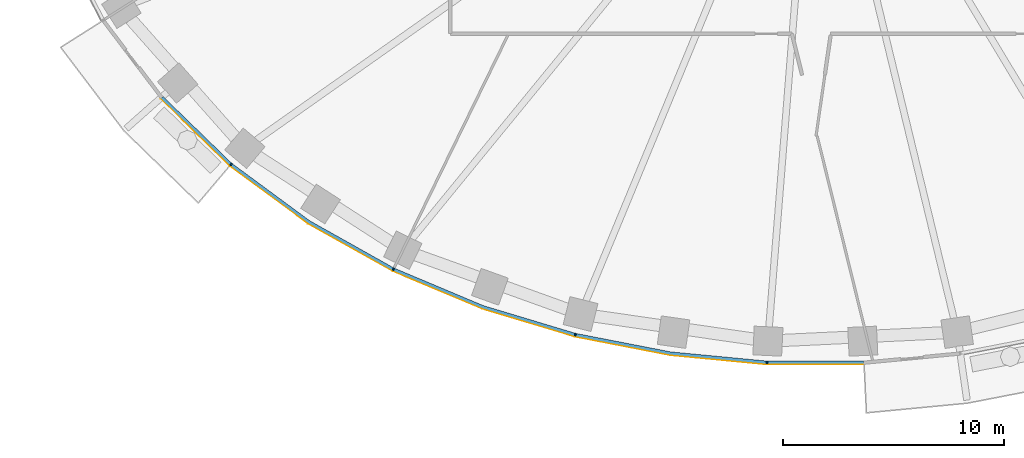
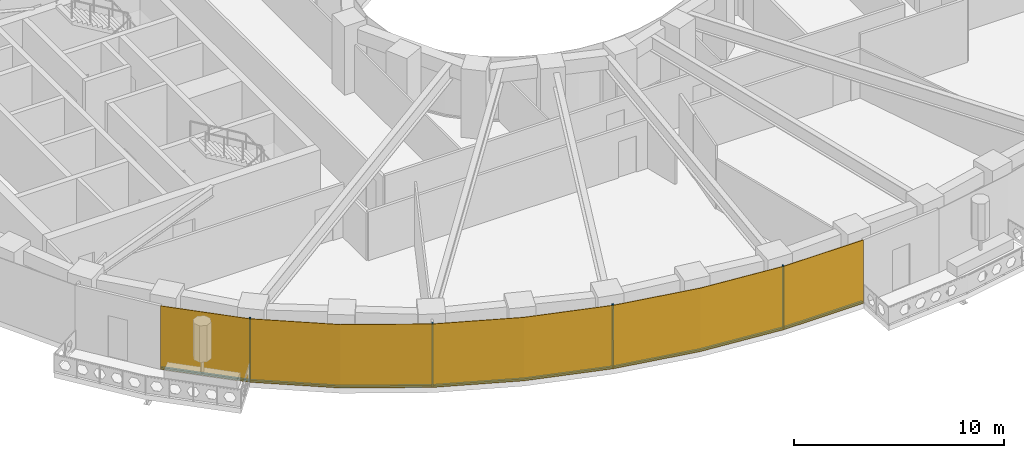
# One storey, part 8 of 16: 9 members, 1 curtain wall.
"""IFC4 building model written with IfcOpenShell, lengths in metres."""

import ifcopenshell
import ifcopenshell.guid

model = None  # the IFC model being written
_history = None  # IfcOwnerHistory: only IFC2X3 demands one
_inside = {}  # id of a spatial element -> (the spatial element, [elements in it])
_under = {}  # id of a project, library or spatial element -> (it, [spatial elements below it])
_declared = {}  # id of a project -> (the project, [libraries it declares])
_typed = {}  # id of a type object -> (the type object, [elements of that type])
_made_of = {}  # id of a material, layer set ... -> (it, [elements and type objects made of it])


def new_model(schema):
    """Start an empty IFC model of exactly this schema.

    Asked for "IFC4X3", IfcOpenShell would pick the latest addendum, in which some entities
    have other attributes; the version numbers below select the first issue.
    IFC2X3 requires an IfcOwnerHistory on every rooted entity: one is made here for all.
    """
    global model, _history
    if schema == "IFC4X3":
        model = ifcopenshell.file(schema_version=(4, 3, 0, 0))
    else:
        model = ifcopenshell.file(schema=schema)
    _inside.clear()
    _under.clear()
    _declared.clear()
    _typed.clear()
    _made_of.clear()
    _history = None
    if model.schema == "IFC2X3":
        org = make("IfcOrganization", Name="unknown")
        user = make(
            "IfcPersonAndOrganization",
            ThePerson=make("IfcPerson", FamilyName="unknown"),
            TheOrganization=org,
        )
        app = make(
            "IfcApplication",
            ApplicationDeveloper=org,
            Version="unknown",
            ApplicationFullName="unknown",
            ApplicationIdentifier="unknown",
        )
        _history = make(
            "IfcOwnerHistory",
            OwningUser=user,
            OwningApplication=app,
            ChangeAction="ADDED",
            CreationDate=0,
        )
    return model


def make(cls, **values):
    """One entity of the class cls with the attributes given. An attribute that is None is left unset."""
    return model.create_entity(
        cls, **{name: value for name, value in values.items() if value is not None}
    )


def rooted(cls, **values):
    """An entity with a GlobalId (a new one), such as an element, a storey or a relation."""
    return make(cls, GlobalId=ifcopenshell.guid.new(), OwnerHistory=_history, **values)


def si_unit(unit_type, name, prefix=None):
    """IfcSIUnit, for example si_unit("LENGTHUNIT", "METRE", prefix="MILLI")."""
    return make("IfcSIUnit", UnitType=unit_type, Prefix=prefix, Name=name)


def assignment(units):
    """IfcUnitAssignment: the units of a project."""
    return None if units is None else make("IfcUnitAssignment", Units=units)


def point(xyz):
    """IfcCartesianPoint."""
    return None if xyz is None else make("IfcCartesianPoint", Coordinates=xyz)


def direction(xyz):
    """IfcDirection."""
    return None if xyz is None else make("IfcDirection", DirectionRatios=xyz)


def frame(location, z_axis=None, x_axis=None):
    """IfcAxis2Placement3D, a coordinate frame: its origin and axes. An axis left out is left unset."""
    return make(
        "IfcAxis2Placement3D",
        Location=point(location),
        Axis=direction(z_axis),
        RefDirection=direction(x_axis),
    )


def frame_2d(location, x_axis=None):
    """IfcAxis2Placement2D, a coordinate frame in the plane: its origin and x axis."""
    return make(
        "IfcAxis2Placement2D", Location=point(location), RefDirection=direction(x_axis)
    )


def origin():
    """The frame at (0, 0, 0) with its axes left unset."""
    return frame((0.0, 0.0, 0.0))


def origin_2d():
    """The frame at (0, 0) in the plane with its x axis left unset."""
    return frame_2d((0.0, 0.0))


def place(relative_to, where):
    """IfcLocalPlacement: puts the frame where relative to a parent placement (None: the world)."""
    return make(
        "IfcLocalPlacement", PlacementRelTo=relative_to, RelativePlacement=where
    )


def context(
    kind, dimensions, precision=None, world=None, true_north=None, identifier=None
):
    """IfcGeometricRepresentationContext, for example the 3D "Model" context."""
    return make(
        "IfcGeometricRepresentationContext",
        ContextIdentifier=identifier,
        ContextType=kind,
        CoordinateSpaceDimension=dimensions,
        Precision=precision,
        WorldCoordinateSystem=world,
        TrueNorth=true_north,
    )


def subcontext(parent, identifier, kind, view, scale=None):
    """IfcGeometricRepresentationSubContext, for example "Body" below "Model"."""
    return make(
        "IfcGeometricRepresentationSubContext",
        ContextIdentifier=identifier,
        ContextType=kind,
        ParentContext=parent,
        TargetScale=scale,
        TargetView=view,
    )


def project(units=None, contexts=None):
    """IfcProject with its units and contexts."""
    return rooted(
        "IfcProject",
        Name="project",
        RepresentationContexts=contexts,
        UnitsInContext=assignment(units),
    )


def spatial(cls, under=None, at=None, **own):
    """A site, building, storey or space (cls), placed at a placement, below another one or the project."""
    s = rooted(cls, ObjectPlacement=at, **own)
    if under is not None:
        _under.setdefault(under.id(), (under, []))[1].append(s)
    return s


def polyline(points):
    """IfcPolyline through the points."""
    return make("IfcPolyline", Points=[point(p) for p in points])


def profile(cls, at=None, kind="AREA", **sizes):
    """A parametric profile (cls). Its sizes go by their IFC names, for example OverallWidth=200.0."""
    return make(cls, ProfileType=kind, Position=at, **sizes)


def rectangle(**sizes):
    """IfcRectangleProfileDef."""
    return profile("IfcRectangleProfileDef", **sizes)


def outline(outer, holes=None, kind="AREA"):
    """IfcArbitraryClosedProfileDef: a profile drawn as a closed curve; with holes, ...WithVoids."""
    if holes is None:
        return make("IfcArbitraryClosedProfileDef", ProfileType=kind, OuterCurve=outer)
    return make(
        "IfcArbitraryProfileDefWithVoids",
        ProfileType=kind,
        OuterCurve=outer,
        InnerCurves=holes,
    )


def extrude(swept, where, along, depth):
    """IfcExtrudedAreaSolid: the profile swept, set in the frame where, extruded along a direction by depth."""
    return make(
        "IfcExtrudedAreaSolid",
        SweptArea=swept,
        Position=where,
        ExtrudedDirection=direction(along),
        Depth=depth,
    )


def shape(context_of_items, identifier, shape_type, items):
    """IfcShapeRepresentation: the items that make up one representation, for example the "Body"."""
    return make(
        "IfcShapeRepresentation",
        ContextOfItems=context_of_items,
        RepresentationIdentifier=identifier,
        RepresentationType=shape_type,
        Items=items,
    )


def material(Name=None, Category=None):
    """IfcMaterial."""
    return make("IfcMaterial", Name=Name, Category=Category)


def layer(
    of_material, thickness, ventilated=None, Name=None, Category=None, Priority=None
):
    """IfcMaterialLayer: one layer of a wall or slab, of a material (None: an air gap)."""
    return make(
        "IfcMaterialLayer",
        Material=of_material,
        LayerThickness=thickness,
        IsVentilated=ventilated,
        Name=Name,
        Category=Category,
        Priority=Priority,
    )


def layer_set(layers, Name=None):
    """IfcMaterialLayerSet."""
    return make("IfcMaterialLayerSet", MaterialLayers=layers, LayerSetName=Name)


def material_profile(
    of_material, cross_section, Name=None, Category=None, Priority=None
):
    """IfcMaterialProfile: a cross section and its material."""
    return make(
        "IfcMaterialProfile",
        Name=Name,
        Material=of_material,
        Profile=cross_section,
        Priority=Priority,
        Category=Category,
    )


def profile_set(profiles, Name=None, composite=None):
    """IfcMaterialProfileSet."""
    return make(
        "IfcMaterialProfileSet",
        Name=Name,
        MaterialProfiles=profiles,
        CompositeProfile=composite,
    )


def made_of(thing, what):
    """Note that an element or type object is made of a material, layer set ...; save() writes the relation."""
    if what is not None:
        _made_of.setdefault(what.id(), (what, []))[1].append(thing)
    return thing


def type_object(cls, material=None, **own):
    """A type object (cls), such as IfcWallType, which elements share."""
    return made_of(rooted(cls, **own), material)


def element(
    cls,
    number,
    at=None,
    inside=None,
    cuts=None,
    type_object=None,
    material=None,
    context=None,
    identifier="Body",
    shape_type=None,
    held_by="IfcProductDefinitionShape",
    body=None,
    shapes=None,
    **own,
):
    """One element of the class cls, such as IfcWall. Its Tag is "e" and its number.

    at: its placement. inside: the storey or other place that contains it. cuts: it is an
    opening in that element (IfcRelVoidsElement). A single representation is given by context,
    identifier, shape_type and body (its items); several are given by shapes. held_by: the class
    of the entity that holds the representations. save() writes the other relations.
    """
    e = rooted(cls, Tag="e%d" % number, ObjectPlacement=at, **own)
    if body is not None:
        shapes = [shape(context, identifier, shape_type, body)]
    if shapes is not None:
        e.Representation = make(held_by, Representations=shapes)
    if inside is not None:
        _inside.setdefault(inside.id(), (inside, []))[1].append(e)
    if cuts is not None:
        rooted(
            "IfcRelVoidsElement", RelatingBuildingElement=cuts, RelatedOpeningElement=e
        )
    if type_object is not None:
        _typed.setdefault(type_object.id(), (type_object, []))[1].append(e)
    return made_of(e, material)


def aggregate(whole, parts):
    """IfcRelAggregates: a whole, such as a stair, and the parts it consists of."""
    return rooted("IfcRelAggregates", RelatingObject=whole, RelatedObjects=parts)


def save(model, path):
    """Write the relations noted so far, then the file.

    IfcRelAggregates (storeys below a building ...), IfcRelContainedInSpatialStructure (elements
    in a storey), IfcRelDefinesByType, IfcRelAssociatesMaterial and IfcRelDeclares: one each for
    every whole, place, type object, material and project.
    """
    for whole, parts in _under.values():
        aggregate(whole, parts)
    for where, things in _inside.values():
        rooted(
            "IfcRelContainedInSpatialStructure",
            RelatedElements=things,
            RelatingStructure=where,
        )
    for kind, things in _typed.values():
        rooted("IfcRelDefinesByType", RelatedObjects=things, RelatingType=kind)
    for what, things in _made_of.values():
        rooted("IfcRelAssociatesMaterial", RelatedObjects=things, RelatingMaterial=what)
    for by, libraries in _declared.values():
        rooted("IfcRelDeclares", RelatingContext=by, RelatedDefinitions=libraries)
    model.write(path)


model = new_model("IFC4")

# Units and contexts
model_context = context("Model", 3, precision=1e-05, world=origin(), true_north=direction((0.0, 1.0)))
body_context = subcontext(model_context, "Body", "Model", "MODEL_VIEW")
ifc_project = project(units=[si_unit("LENGTHUNIT", "METRE"), si_unit("AREAUNIT", "SQUARE_METRE"), si_unit("VOLUMEUNIT", "CUBIC_METRE"), si_unit("PLANEANGLEUNIT", "RADIAN"), si_unit("MASSUNIT", "GRAM", prefix="KILO")], contexts=[model_context])

# Member
ifc_material_1 = material(Name="Aluminium 6063-T6 black anodised", Category="aluminium")
ifc_material_profile = material_profile(ifc_material_1, rectangle(XDim=0.1201171875, YDim=0.06005859375, at=origin_2d()), Name="120x60")
ifc_profile_set = profile_set([ifc_material_profile], Name="Aluminium 6063-T6 black anodised")
member_type_1 = type_object("IfcMemberType", Name="ENV-MULLION-A-120", PredefinedType="MULLION", material=ifc_profile_set)
site_placement = place(None, origin())
building_placement = place(site_placement, origin())
storey_placement = place(building_placement, frame((0.0, 0.0, 108.0)))
member_1_placement = place(storey_placement, frame((-26.403564453125, -18.9130859375, 0.0), z_axis=(0.0, 0.0, 1.0), x_axis=(0.646451313783, 0.762955240435, 0.0)))
member_1 = element("IfcMember", 1, at=member_1_placement, type_object=member_type_1, Name="Mullion A radial 29", PredefinedType="MULLION", context=body_context, shape_type="SweptSolid", body=[
    extrude(rectangle(XDim=0.1201171875, YDim=0.06005859375, at=origin_2d()), origin(), (0.0, 0.0, 1.0), 3.699951171875),
])

member_2_placement = place(storey_placement, frame((-19.06787109375, -23.6474609375, 0.0), z_axis=(0.0, 0.0, 1.0), x_axis=(0.439237769837, 0.898370848563, 0.0)))
member_2 = element("IfcMember", 2, at=member_2_placement, type_object=member_type_1, Name="Mullion A radial 31", PredefinedType="MULLION", context=body_context, shape_type="SweptSolid", body=[
    extrude(rectangle(XDim=0.1201171875, YDim=0.06005859375, at=origin_2d()), origin(), (0.0, 0.0, 1.0), 3.699951171875),
])

member_3_placement = place(storey_placement, frame((-10.84326171875, -26.60498046875, 0.0), z_axis=(0.0, 0.0, 1.0), x_axis=(0.239799081534, 0.970822538106, 0.0)))
member_3 = element("IfcMember", 3, at=member_3_placement, type_object=member_type_1, Name="Mullion A radial 33", PredefinedType="MULLION", context=body_context, shape_type="SweptSolid", body=[
    extrude(rectangle(XDim=0.1201171875, YDim=0.06005859375, at=origin_2d()), origin(), (0.0, 0.0, 1.0), 3.699951171875),
])

member_4_placement = place(storey_placement, frame((-2.188720703125, -27.856201171875, 0.0), z_axis=(0.0, 0.0, 1.0), x_axis=(0.047557873581, 0.998868484166, 0.0)))
member_4 = element("IfcMember", 4, at=member_4_placement, type_object=member_type_1, Name="Mullion A radial 35", PredefinedType="MULLION", context=body_context, shape_type="SweptSolid", body=[
    extrude(rectangle(XDim=0.1201171875, YDim=0.06005859375, at=origin_2d()), origin(), (0.0, 0.0, 1.0), 3.699951171875),
])

ifc_material_2 = material(Name="Aluminium 6063-T6 black anodised", Category="aluminium")
member_type_2 = type_object("IfcMemberType", Name="ENV-TRANSOM-A", PredefinedType="USERDEFINED", material=ifc_material_2)
member_5_placement = place(storey_placement, origin())
member_5 = element("IfcMember", 5, at=member_5_placement, type_object=member_type_2, Name="Transom A radial 28-29", ObjectType="TRANSOM", PredefinedType="USERDEFINED", context=body_context, shape_type="SweptSolid", body=[
    extrude(outline(polyline([(-29.569091796875, -15.9208984375), (-26.46240234375, -18.939208984375), (-26.384765625, -18.847412109375), (-29.47900390625, -15.841064453125), (-29.569091796875, -15.9208984375)])), origin(), (0.0, 0.0, 1.0), 0.10009765625),
])

member_6_placement = place(storey_placement, origin())
member_6 = element("IfcMember", 6, at=member_6_placement, type_object=member_type_2, Name="Transom A radial 29-31", ObjectType="TRANSOM", PredefinedType="USERDEFINED", context=body_context, shape_type="SweptSolid", body=[
    extrude(outline(polyline([(-26.419921875, -18.975341796875), (-22.9150390625, -21.556884765625), (-19.11865234375, -23.687744140625), (-19.06591796875, -23.57958984375), (-22.85009765625, -21.455810546875), (-26.342041015625, -18.883544921875), (-26.419921875, -18.975341796875)])), origin(), (0.0, 0.0, 1.0), 0.10009765625),
])

member_7_placement = place(storey_placement, origin())
member_7 = element("IfcMember", 7, at=member_7_placement, type_object=member_type_2, Name="Transom A radial 31-33", ObjectType="TRANSOM", PredefinedType="USERDEFINED", context=body_context, shape_type="SweptSolid", body=[
    extrude(outline(polyline([(-19.068359375, -23.71240234375), (-15.054443359375, -25.400146484375), (-10.884521484375, -26.655029296875), (-10.855712890625, -26.53857421875), (-15.013916015625, -25.287109375), (-19.015380859375, -23.604248046875), (-19.068359375, -23.71240234375)])), origin(), (0.0, 0.0, 1.0), 0.10009765625),
])

member_8_placement = place(storey_placement, origin())
member_8 = element("IfcMember", 8, at=member_8_placement, type_object=member_type_2, Name="Transom A radial 33-35", ObjectType="TRANSOM", PredefinedType="USERDEFINED", context=body_context, shape_type="SweptSolid", body=[
    extrude(outline(polyline([(-10.830078125, -26.66845703125), (-6.55517578125, -27.49951171875), (-2.219482421875, -27.913330078125), (-2.2138671875, -27.793212890625), (-6.537841796875, -27.380615234375), (-10.80126953125, -26.552001953125), (-10.830078125, -26.66845703125)])), origin(), (0.0, 0.0, 1.0), 0.10009765625),
])

member_9_placement = place(storey_placement, origin())
member_9 = element("IfcMember", 9, at=member_9_placement, type_object=member_type_2, Name="Transom A radial 35-36", ObjectType="TRANSOM", PredefinedType="USERDEFINED", context=body_context, shape_type="SweptSolid", body=[
    extrude(outline(polyline([(-2.163818359375, -27.916015625), (2.171630859375, -27.916015625), (2.166015625, -27.7958984375), (-2.157958984375, -27.7958984375), (-2.163818359375, -27.916015625)])), origin(), (0.0, 0.0, 1.0), 0.10009765625),
])

# Site, building, storey
site = spatial("IfcSite", under=ifc_project, at=site_placement, CompositionType="ELEMENT")
building = spatial("IfcBuilding", under=site, at=building_placement, Name="Noorbagh Ring Tower", CompositionType="ELEMENT")
storey = spatial("IfcBuildingStorey", under=building, at=storey_placement, Name="L24", CompositionType="ELEMENT", Elevation=108.0)

# Curtain wall
ifc_material_3 = material(Name="Glass dark tinted laminated", Category="glass")
ifc_layer = layer(ifc_material_3, 0.031982421875)
ifc_layer_set = layer_set([ifc_layer], Name="Glass dark tinted laminated")
curtain_wall_type = type_object("IfcCurtainWallType", Name="ENV-CW-A", PredefinedType="NOTDEFINED", material=ifc_layer_set)
curtain_wall_placement = place(storey_placement, origin())
curtain_wall = element("IfcCurtainWall", 10, at=curtain_wall_placement, inside=storey, type_object=curtain_wall_type, Name="Curtain wall A R28", PredefinedType="NOTDEFINED", context=body_context, shape_type="SweptSolid", body=[
    extrude(outline(polyline([(-29.59326171875, -15.942138671875), (-26.463134765625, -18.9833984375), (-22.9326171875, -21.583740234375), (-19.108154296875, -23.730224609375), (-15.065185546875, -25.430419921875), (-10.865234375, -26.6943359375), (-6.559814453125, -27.53125), (-2.193115234375, -27.947998046875), (2.173095703125, -27.947998046875), (2.171630859375, -27.916015625), (-2.191650390625, -27.916015625), (-6.55517578125, -27.49951171875), (-10.857666015625, -26.6630859375), (-15.054443359375, -25.400146484375), (-19.093994140625, -23.701416015625), (-22.9150390625, -21.556884765625), (-26.4423828125, -18.958740234375), (-29.569091796875, -15.9208984375), (-29.59326171875, -15.942138671875)])), origin(), (0.0, 0.0, 1.0), 3.699951171875),
])

aggregate(curtain_wall, [member_1, member_2, member_3, member_4, member_5, member_6, member_7, member_8, member_9])

save(model, "model.ifc")
